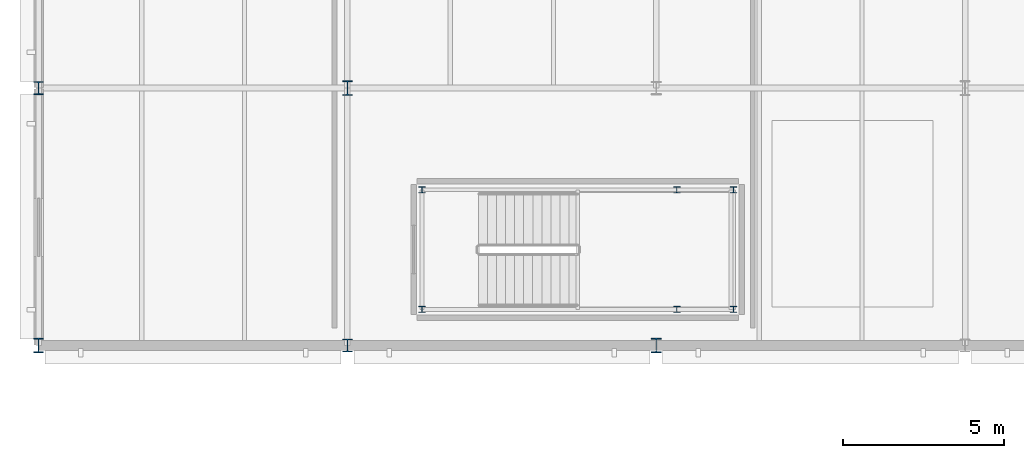
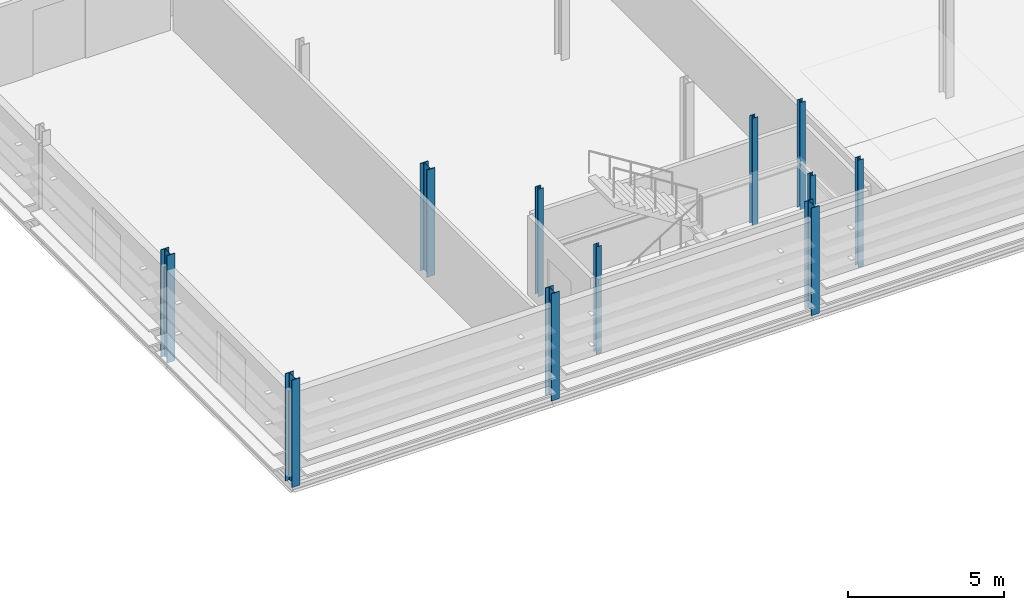
# One storey, part 1 of 85: 11 columns.
"""IFC4 building model written with IfcOpenShell, lengths in metres."""

from ifc_helpers import new_model, si_unit, direction, frame, origin, origin_2d, place, context, subcontext, project, spatial, i_section, extrude, material, material_profile, profile_set, type_object, element, save


model = new_model("IFC4")

# Units and contexts
model_context = context("Model", 3, precision=1e-05, world=origin(), true_north=direction((0.0, 1.0)))
body_context = subcontext(model_context, "Body", "Model", "MODEL_VIEW")
ifc_project = project(units=[si_unit("LENGTHUNIT", "METRE"), si_unit("AREAUNIT", "SQUARE_METRE"), si_unit("VOLUMEUNIT", "CUBIC_METRE"), si_unit("PLANEANGLEUNIT", "RADIAN"), si_unit("MASSUNIT", "GRAM", prefix="KILO")], contexts=[model_context])

# Site, building, storey
site_placement = place(None, origin())
site = spatial("IfcSite", under=ifc_project, at=site_placement, CompositionType="ELEMENT")
building_placement = place(site_placement, origin())
building = spatial("IfcBuilding", under=site, at=building_placement, Name="Alderhovde Museum", CompositionType="ELEMENT")
storey_placement = place(building_placement, frame((0.0, 0.0, 8.699951171875)))
storey = spatial("IfcBuildingStorey", under=building, at=storey_placement, Name="L02", CompositionType="ELEMENT", Elevation=8.699951171875)

# Columns
ifc_material_1 = material(Name="Steel S355J2", Category="steel")
ifc_material_profile_1 = material_profile(ifc_material_1, i_section(OverallWidth=0.199951171875, OverallDepth=0.18994140625, WebThickness=0.006591796875, FlangeThickness=0.010009765625, FilletRadius=0.01806640625, at=origin_2d()), Name="HEA 200")
ifc_profile_set_1 = profile_set([ifc_material_profile_1], Name="Steel S355J2")
column_type_1 = type_object("IfcColumnType", Name="COL-HEA200", PredefinedType="COLUMN", material=ifc_profile_set_1)
for number, where, z_axis, x_axis, name in (
    (1, (21.52001953125, 49.1201171875, 0.0), (0.0, 0.0, 1.0), (1.0, 0.0, 0.0), "L02 Stair ST1 Shaft Column 1"),
    (2, (31.199951171875, 49.1201171875, 0.0), (0.0, 0.0, 1.0), (1.0, 0.0, 0.0), "L02 Stair ST1 Shaft Column 2"),
    (3, (31.199951171875, 52.840087890625, 0.0), (0.0, 0.0, 1.0), (1.0, 0.0, 0.0), "L02 Stair ST1 Shaft Column 3"),
    (4, (21.52001953125, 52.840087890625, 0.0), (0.0, 0.0, 1.0), (1.0, 0.0, 0.0), "L02 Stair ST1 Shaft Column 4"),
    (5, (29.43994140625, 49.1201171875, 0.0), (0.0, 0.0, 1.0), (1.0, 0.0, 0.0), "L02 Stair ST1 Shaft Column 5"),
    (6, (29.43994140625, 52.840087890625, 0.0), (0.0, 0.0, 1.0), (1.0, 0.0, 0.0), "L02 Stair ST1 Shaft Column 6"),
):
    element("IfcColumn", number, at=place(storey_placement, frame(where, z_axis=z_axis, x_axis=x_axis)), inside=storey, type_object=column_type_1, Name=name, PredefinedType="COLUMN", context=body_context, shape_type="SweptSolid", body=[
        extrude(i_section(OverallWidth=0.199951171875, OverallDepth=0.18994140625, WebThickness=0.006591796875, FlangeThickness=0.010009765625, FilletRadius=0.01806640625, at=origin_2d()), origin(), (0.0, 0.0, 1.0), 4.199951171875),
    ])
ifc_material_2 = material(Name="Steel S355J2", Category="steel")
ifc_material_profile_2 = material_profile(ifc_material_2, i_section(OverallWidth=0.300048828125, OverallDepth=0.39990234375, WebThickness=0.013427734375, FlangeThickness=0.02392578125, FilletRadius=0.027099609375, at=origin_2d()), Name="HEB 400")
ifc_profile_set_2 = profile_set([ifc_material_profile_2], Name="Steel S355J2")
column_type_2 = type_object("IfcColumnType", Name="COL-HEB400", PredefinedType="COLUMN", material=ifc_profile_set_2)
for number, where, z_axis, x_axis, name in (
    (7, (9.60009765625, 56.0, -0.260009765625), (0.0, 0.0, 1.0), (1.0, 0.0, 0.0), "L02 Column (9.6, 56.0)"),
    (8, (19.199951171875, 48.0, -0.260009765625), (0.0, 0.0, 1.0), (1.0, 0.0, 0.0), "L02 Column (19.2, 48.0)"),
):
    element("IfcColumn", number, at=place(storey_placement, frame(where, z_axis=z_axis, x_axis=x_axis)), inside=storey, type_object=column_type_2, Name=name, PredefinedType="COLUMN", context=body_context, shape_type="SweptSolid", body=[
        extrude(i_section(OverallWidth=0.300048828125, OverallDepth=0.39990234375, WebThickness=0.013427734375, FlangeThickness=0.02392578125, FilletRadius=0.027099609375, at=origin_2d()), origin(), (0.0, 0.0, 1.0), 4.199951171875),
    ])
ifc_material_3 = material(Name="Steel S355J2", Category="steel")
ifc_material_profile_3 = material_profile(ifc_material_3, i_section(OverallWidth=0.300048828125, OverallDepth=0.449951171875, WebThickness=0.013916015625, FlangeThickness=0.02587890625, FilletRadius=0.027099609375, at=origin_2d()), Name="HEB 450")
ifc_profile_set_3 = profile_set([ifc_material_profile_3], Name="Steel S355J2")
column_type_3 = type_object("IfcColumnType", Name="COL-HEB450", PredefinedType="COLUMN", material=ifc_profile_set_3)
for number, where, z_axis, x_axis, name in (
    (9, (9.60009765625, 48.0, -0.260009765625), (0.0, 0.0, 1.0), (1.0, 0.0, 0.0), "L02 Column (9.6, 48.0)"),
    (10, (19.199951171875, 56.0, -0.260009765625), (0.0, 0.0, 1.0), (1.0, 0.0, 0.0), "L02 Column (19.2, 56.0)"),
    (11, (28.800048828125, 48.0, -0.260009765625), (0.0, 0.0, 1.0), (1.0, 0.0, 0.0), "L02 Column (28.8, 48.0)"),
):
    element("IfcColumn", number, at=place(storey_placement, frame(where, z_axis=z_axis, x_axis=x_axis)), inside=storey, type_object=column_type_3, Name=name, PredefinedType="COLUMN", context=body_context, shape_type="SweptSolid", body=[
        extrude(i_section(OverallWidth=0.300048828125, OverallDepth=0.449951171875, WebThickness=0.013916015625, FlangeThickness=0.02587890625, FilletRadius=0.027099609375, at=origin_2d()), origin(), (0.0, 0.0, 1.0), 4.199951171875),
    ])

save(model, "model.ifc")
